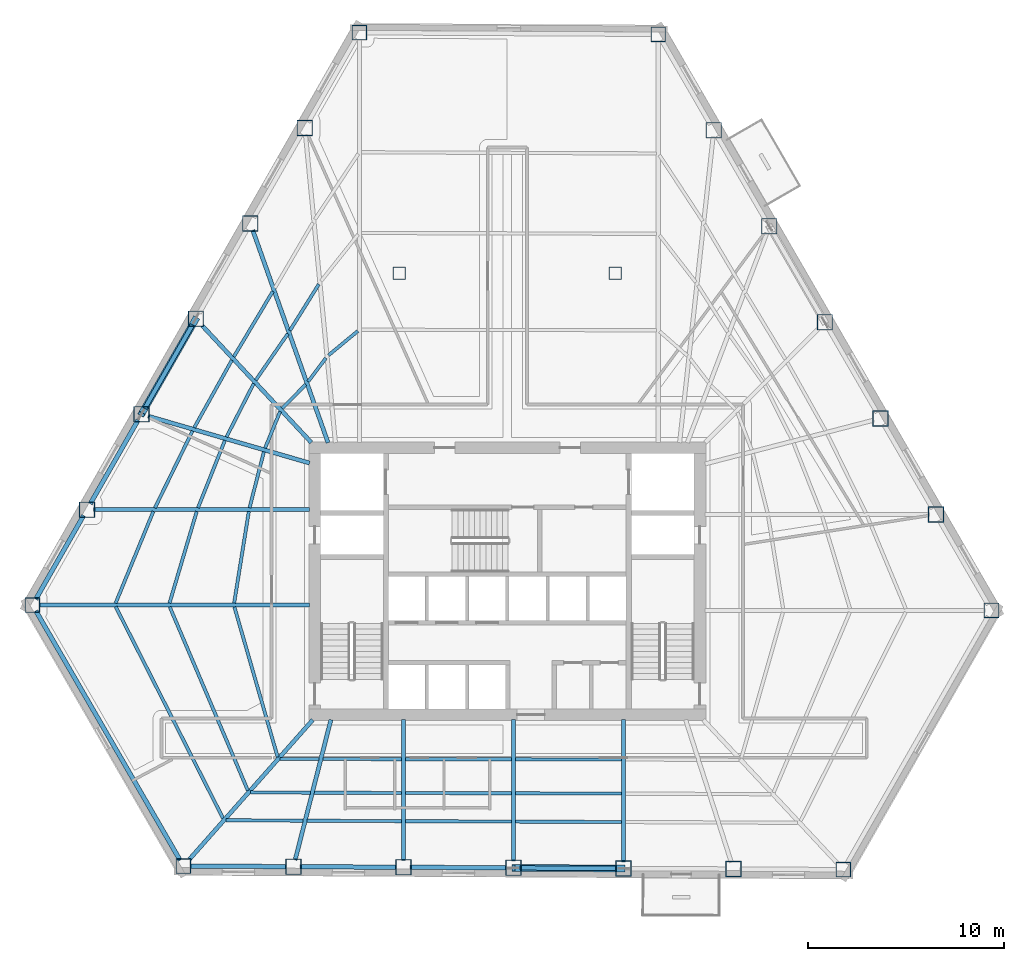
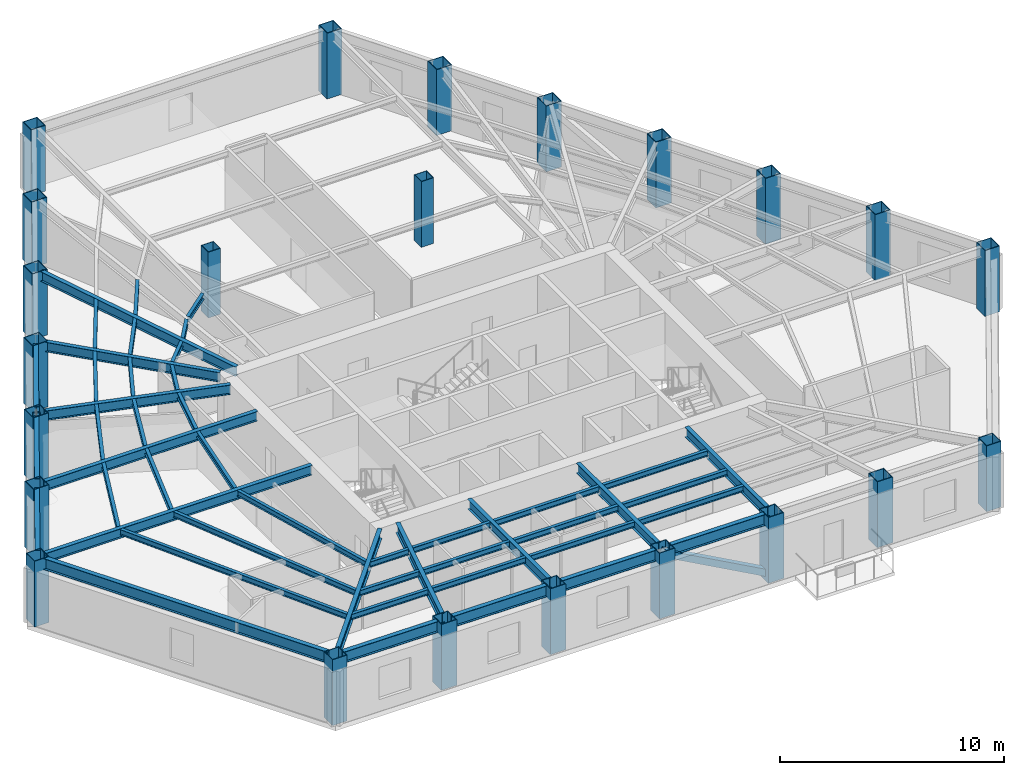
# One storey, part 1 of 12: 48 beams, 23 columns, 2 members.
"""IFC4 building model written with IfcOpenShell, lengths in metres."""

from ifc_helpers import new_model, si_unit, direction, frame, origin, origin_2d, place, context, subcontext, project, spatial, hollow_rectangle, i_section, extrude, material, material_profile, profile_set, type_object, element, save


model = new_model("IFC4")

# Units and contexts
model_context = context("Model", 3, precision=1e-05, world=origin(), true_north=direction((0.0, 1.0)))
body_context = subcontext(model_context, "Body", "Model", "MODEL_VIEW")
ifc_project = project(units=[si_unit("LENGTHUNIT", "METRE"), si_unit("AREAUNIT", "SQUARE_METRE"), si_unit("VOLUMEUNIT", "CUBIC_METRE"), si_unit("PLANEANGLEUNIT", "RADIAN"), si_unit("MASSUNIT", "GRAM", prefix="KILO")], contexts=[model_context])

# Site, building, storey
site_placement = place(None, origin())
site = spatial("IfcSite", under=ifc_project, at=site_placement, CompositionType="ELEMENT")
building_placement = place(site_placement, origin())
building = spatial("IfcBuilding", under=site, at=building_placement, Name="Kavelnor Concourse Tower", CompositionType="ELEMENT")
storey_placement = place(building_placement, frame((0.0, 0.0, 40.64990234375)))
storey = spatial("IfcBuildingStorey", under=building, at=storey_placement, Name="L10", CompositionType="ELEMENT", Elevation=40.64990234375)

# Columns
ifc_material = material(Name="Steel Grade 350", Category="steel")
ifc_material_profile_1 = material_profile(ifc_material, hollow_rectangle(XDim=0.760009765625, YDim=0.760009765625, WallThickness=0.034912109375, at=origin_2d()), Name="SHS 760x760x35")
ifc_profile_set_1 = profile_set([ifc_material_profile_1], Name="Steel Grade 350")
column_type_1 = type_object("IfcColumnType", Name="COL-FOLD-Z1", PredefinedType="COLUMN", material=ifc_profile_set_1)
for number, where, z_axis, x_axis, name in (
    (1, (30.4560546875, 44.0625, 0.0), (0.0, 0.0, 1.0), (1.0, 0.0, 0.0), "L10 Perimeter Corner-Fold Column F0-B0"),
    (2, (13.794921875, 14.887451171875, 0.0), (0.0, 0.0, 1.0), (1.0, 0.0, 0.0), "L10 Perimeter Corner-Fold Column F0-B6"),
    (3, (21.49072265625, 1.58154296875, 0.0), (0.0, 0.0, 1.0), (1.0, 0.0, 0.0), "L10 Perimeter Corner-Fold Column F1-B0"),
    (4, (55.134033203125, 1.39697265625, 0.0), (0.0, 0.0, 1.0), (1.0, 0.0, 0.0), "L10 Perimeter Corner-Fold Column F1-B6"),
    (5, (62.679931640625, 14.6103515625, 0.0), (0.0, 0.0, 1.0), (1.0, 0.0, 0.0), "L10 Perimeter Corner-Fold Column F2-B0"),
    (6, (45.69384765625, 43.978759765625, 0.0), (0.0, 0.0, 1.0), (1.0, 0.0, 0.0), "L10 Perimeter Corner-Fold Column F2-B6"),
):
    element("IfcColumn", number, at=place(storey_placement, frame(where, z_axis=z_axis, x_axis=x_axis)), inside=storey, type_object=column_type_1, Name=name, PredefinedType="COLUMN", context=body_context, shape_type="SweptSolid", body=[
        extrude(hollow_rectangle(XDim=0.760009765625, YDim=0.760009765625, WallThickness=0.034912109375, at=origin_2d()), origin(), (0.0, 0.0, 1.0), 3.590087890625),
    ])
ifc_material_profile_2 = material_profile(ifc_material, hollow_rectangle(XDim=0.800048828125, YDim=0.800048828125, WallThickness=0.035888671875, at=origin_2d()), Name="SHS 800x800x36")
ifc_profile_set_2 = profile_set([ifc_material_profile_2], Name="Steel Grade 350")
column_type_2 = type_object("IfcColumnType", Name="COL-TUBE-Z1", PredefinedType="COLUMN", material=ifc_profile_set_2)
for number, where, z_axis, x_axis, name in (
    (7, (27.67919921875, 39.199951171875, 0.0), (0.0, 0.0, 1.0), (1.0, 0.0, 0.0), "L10 Perimeter Framed-Tube Column F0-B1"),
    (8, (24.90234375, 34.33740234375, 0.0), (0.0, 0.0, 1.0), (1.0, 0.0, 0.0), "L10 Perimeter Framed-Tube Column F0-B2"),
    (9, (22.12548828125, 29.474853515625, 0.0), (0.0, 0.0, 1.0), (1.0, 0.0, 0.0), "L10 Perimeter Framed-Tube Column F0-B3"),
    (10, (19.3486328125, 24.612548828125, 0.0), (0.0, 0.0, 1.0), (1.0, 0.0, 0.0), "L10 Perimeter Framed-Tube Column F0-B4"),
    (11, (16.57177734375, 19.75, 0.0), (0.0, 0.0, 1.0), (1.0, 0.0, 0.0), "L10 Perimeter Framed-Tube Column F0-B5"),
    (12, (27.097900390625, 1.55078125, 0.0), (0.0, 0.0, 1.0), (1.0, 0.0, 0.0), "L10 Perimeter Framed-Tube Column F1-B1"),
    (13, (32.705078125, 1.52001953125, 0.0), (0.0, 0.0, 1.0), (1.0, 0.0, 0.0), "L10 Perimeter Framed-Tube Column F1-B2"),
    (14, (38.3125, 1.4892578125, 0.0), (0.0, 0.0, 1.0), (1.0, 0.0, 0.0), "L10 Perimeter Framed-Tube Column F1-B3"),
    (15, (43.919677734375, 1.45849609375, 0.0), (0.0, 0.0, 1.0), (1.0, 0.0, 0.0), "L10 Perimeter Framed-Tube Column F1-B4"),
    (16, (49.52685546875, 1.427734375, 0.0), (0.0, 0.0, 1.0), (1.0, 0.0, 0.0), "L10 Perimeter Framed-Tube Column F1-B5"),
    (17, (59.84912109375, 19.505126953125, 0.0), (0.0, 0.0, 1.0), (1.0, 0.0, 0.0), "L10 Perimeter Framed-Tube Column F2-B1"),
    (18, (57.01806640625, 24.39990234375, 0.0), (0.0, 0.0, 1.0), (1.0, 0.0, 0.0), "L10 Perimeter Framed-Tube Column F2-B2"),
    (19, (54.18701171875, 29.294677734375, 0.0), (0.0, 0.0, 1.0), (1.0, 0.0, 0.0), "L10 Perimeter Framed-Tube Column F2-B3"),
    (20, (51.35595703125, 34.189208984375, 0.0), (0.0, 0.0, 1.0), (1.0, 0.0, 0.0), "L10 Perimeter Framed-Tube Column F2-B4"),
    (21, (48.52490234375, 39.083984375, 0.0), (0.0, 0.0, 1.0), (1.0, 0.0, 0.0), "L10 Perimeter Framed-Tube Column F2-B5"),
):
    element("IfcColumn", number, at=place(storey_placement, frame(where, z_axis=z_axis, x_axis=x_axis)), inside=storey, type_object=column_type_2, Name=name, PredefinedType="COLUMN", context=body_context, shape_type="SweptSolid", body=[
        extrude(hollow_rectangle(XDim=0.800048828125, YDim=0.800048828125, WallThickness=0.035888671875, at=origin_2d()), origin(), (0.0, 0.0, 1.0), 3.590087890625),
    ])
ifc_material_profile_3 = material_profile(ifc_material, hollow_rectangle(XDim=0.639892578125, YDim=0.639892578125, WallThickness=0.028076171875, at=origin_2d()), Name="SHS 640x640x28")
ifc_profile_set_3 = profile_set([ifc_material_profile_3], Name="Steel Grade 350")
column_type_3 = type_object("IfcColumnType", Name="COL-TUBE-Z3", PredefinedType="COLUMN", material=ifc_profile_set_3)
for number, where, z_axis, x_axis, name in (
    (22, (32.5, 31.800048828125, 0.0), (0.0, 0.0, 1.0), (1.0, 0.0, 0.0), "L10 North Interior Gravity Column BC-NW"),
    (23, (43.5, 31.800048828125, 0.0), (0.0, 0.0, 1.0), (1.0, 0.0, 0.0), "L10 North Interior Gravity Column BC-NE"),
):
    element("IfcColumn", number, at=place(storey_placement, frame(where, z_axis=z_axis, x_axis=x_axis)), inside=storey, type_object=column_type_3, Name=name, PredefinedType="COLUMN", context=body_context, shape_type="SweptSolid", body=[
        extrude(hollow_rectangle(XDim=0.639892578125, YDim=0.639892578125, WallThickness=0.028076171875, at=origin_2d()), origin(), (0.0, 0.0, 1.0), 3.590087890625),
    ])

# Beams
ifc_material_profile_4 = material_profile(ifc_material, i_section(OverallWidth=0.166015625, OverallDepth=0.306884765625, WebThickness=0.006591796875, FlangeThickness=0.01171875, at=origin_2d()), Name="310UB46")
ifc_profile_set_4 = profile_set([ifc_material_profile_4], Name="Steel Grade 350")
beam_type_1 = type_object("IfcBeamType", Name="BM-JOIST-310", PredefinedType="JOIST", material=ifc_profile_set_4)
beam_1_placement = place(storey_placement, frame((24.08740234375, 14.79296875, 3.4365234375), z_axis=(0.276974596125, -0.960877241432, 0.0), x_axis=(0.960877241432, 0.276974596125, 0.0)))
element("IfcBeam", 24, at=beam_1_placement, inside=storey, type_object=beam_type_1, Name="L10 Secondary Composite Joist 01-1", PredefinedType="JOIST", context=body_context, shape_type="SweptSolid", body=[
    extrude(i_section(OverallWidth=0.166015625, OverallDepth=0.306884765625, WebThickness=0.006591796875, FlangeThickness=0.01171875, at=origin_2d()), origin(), (0.0, 0.0, 1.0), 7.967529296875),
])
beam_2_placement = place(storey_placement, frame((20.790283203125, 14.796875, 3.4365234375), z_axis=(0.391509800542, -0.920173937948, 0.0), x_axis=(0.920173937948, 0.391509800542, 0.0)))
element("IfcBeam", 25, at=beam_2_placement, inside=storey, type_object=beam_type_1, Name="L10 Secondary Composite Joist 01-2", PredefinedType="JOIST", context=body_context, shape_type="SweptSolid", body=[
    extrude(i_section(OverallWidth=0.166015625, OverallDepth=0.306884765625, WebThickness=0.006591796875, FlangeThickness=0.01171875, at=origin_2d()), origin(), (0.0, 0.0, 1.0), 10.18017578125),
])
beam_3_placement = place(storey_placement, frame((18.039306640625, 14.7998046875, 3.4365234375), z_axis=(0.452378695405, -0.89182594487, 0.0), x_axis=(0.89182594487, 0.452378695405, 0.0)))
element("IfcBeam", 26, at=beam_3_placement, inside=storey, type_object=beam_type_1, Name="L10 Secondary Composite Joist 01-3", PredefinedType="JOIST", context=body_context, shape_type="SweptSolid", body=[
    extrude(i_section(OverallWidth=0.166015625, OverallDepth=0.306884765625, WebThickness=0.006591796875, FlangeThickness=0.01171875, at=origin_2d()), origin(), (0.0, 0.0, 1.0), 12.101806640625),
])
beam_4_placement = place(storey_placement, frame((26.419921875, 7.042236328125, 3.4365234375), z_axis=(0.999997533919, -0.00222084585, 0.0), x_axis=(0.00222084585, 0.999997533919, 0.0)))
element("IfcBeam", 27, at=beam_4_placement, inside=storey, type_object=beam_type_1, Name="L10 Secondary Composite Joist 02-1", PredefinedType="JOIST", context=body_context, shape_type="SweptSolid", body=[
    extrude(i_section(OverallWidth=0.166015625, OverallDepth=0.306884765625, WebThickness=0.006591796875, FlangeThickness=0.01171875, at=origin_2d()), origin(), (0.0, 0.0, 1.0), 1.978759765625),
])
beam_5_placement = place(storey_placement, frame((24.912841796875, 5.33837890625, 3.4365234375), z_axis=(0.999987270945, -0.005045586903, 0.0), x_axis=(0.005045586903, 0.999987270945, 0.0)))
element("IfcBeam", 28, at=beam_5_placement, inside=storey, type_object=beam_type_1, Name="L10 Secondary Composite Joist 02-2", PredefinedType="JOIST", context=body_context, shape_type="SweptSolid", body=[
    extrude(i_section(OverallWidth=0.166015625, OverallDepth=0.306884765625, WebThickness=0.006591796875, FlangeThickness=0.01171875, at=origin_2d()), origin(), (0.0, 0.0, 1.0), 3.04833984375),
])
beam_6_placement = place(storey_placement, frame((23.656982421875, 3.91845703125, 3.4365234375), z_axis=(0.99998041361, -0.00625878551, 0.0), x_axis=(0.00625878551, 0.99998041361, 0.0)))
element("IfcBeam", 29, at=beam_6_placement, inside=storey, type_object=beam_type_1, Name="L10 Secondary Composite Joist 02-3", PredefinedType="JOIST", context=body_context, shape_type="SweptSolid", body=[
    extrude(i_section(OverallWidth=0.166015625, OverallDepth=0.306884765625, WebThickness=0.006591796875, FlangeThickness=0.01171875, at=origin_2d()), origin(), (0.0, 0.0, 1.0), 3.939697265625),
])
beam_7_placement = place(storey_placement, frame((28.595703125, 7.03759765625, 3.4365234375), z_axis=(0.999998103091, -0.001947771581, 0.0), x_axis=(0.001947771581, 0.999998103091, 0.0)))
element("IfcBeam", 30, at=beam_7_placement, inside=storey, type_object=beam_type_1, Name="L10 Secondary Composite Joist 03-1", PredefinedType="JOIST", context=body_context, shape_type="SweptSolid", body=[
    extrude(i_section(OverallWidth=0.166015625, OverallDepth=0.306884765625, WebThickness=0.006591796875, FlangeThickness=0.01171875, at=origin_2d()), origin(), (0.0, 0.0, 1.0), 4.010986328125),
])
beam_8_placement = place(storey_placement, frame((28.158203125, 5.322021484375, 3.4365234375), z_axis=(0.999994210978, -0.003402647554, 0.0), x_axis=(0.003402647554, 0.999994210978, 0.0)))
element("IfcBeam", 31, at=beam_8_placement, inside=storey, type_object=beam_type_1, Name="L10 Secondary Composite Joist 03-2", PredefinedType="JOIST", context=body_context, shape_type="SweptSolid", body=[
    extrude(i_section(OverallWidth=0.166015625, OverallDepth=0.306884765625, WebThickness=0.006591796875, FlangeThickness=0.01171875, at=origin_2d()), origin(), (0.0, 0.0, 1.0), 4.448486328125),
])
beam_9_placement = place(storey_placement, frame((27.793701171875, 3.892578125, 3.4365234375), z_axis=(0.999989809538, -0.004514512177, 0.0), x_axis=(0.004514512177, 0.999989809538, 0.0)))
element("IfcBeam", 32, at=beam_9_placement, inside=storey, type_object=beam_type_1, Name="L10 Secondary Composite Joist 03-3", PredefinedType="JOIST", context=body_context, shape_type="SweptSolid", body=[
    extrude(i_section(OverallWidth=0.166015625, OverallDepth=0.306884765625, WebThickness=0.006591796875, FlangeThickness=0.01171875, at=origin_2d()), origin(), (0.0, 0.0, 1.0), 4.81298828125),
])
for number, where, z_axis, x_axis, name in (
    (33, (32.8037109375, 7.029541015625, 3.4365234375), (0.99999882297, -0.001534294223, 0.0), (0.001534294223, 0.99999882297, 0.0), "L10 Secondary Composite Joist 04-1"),
    (34, (32.8037109375, 5.30615234375, 3.4365234375), (0.999995958813, -0.0028429488, 0.0), (0.0028429488, 0.999995958813, 0.0), "L10 Secondary Composite Joist 04-2"),
    (35, (32.8037109375, 3.8701171875, 3.4365234375), (0.9999921152, -0.003971087822, 0.0), (0.003971087822, 0.9999921152, 0.0), "L10 Secondary Composite Joist 04-3"),
):
    element("IfcBeam", number, at=place(storey_placement, frame(where, z_axis=z_axis, x_axis=x_axis)), inside=storey, type_object=beam_type_1, Name=name, PredefinedType="JOIST", context=body_context, shape_type="SweptSolid", body=[
        extrude(i_section(OverallWidth=0.166015625, OverallDepth=0.306884765625, WebThickness=0.006591796875, FlangeThickness=0.01171875, at=origin_2d()), origin(), (0.0, 0.0, 1.0), 5.41015625),
    ])
for number, where, z_axis, x_axis, name in (
    (36, (38.410888671875, 7.02099609375, 3.4365234375), (0.999998752827, -0.001579349143, 0.0), (0.001579349143, 0.999998752827, 0.0), "L10 Secondary Composite Joist 05-1"),
    (37, (38.410888671875, 5.290283203125, 3.4365234375), (0.99999582988, -0.002887944277, 0.0), (0.002887944277, 0.99999582988, 0.0), "L10 Secondary Composite Joist 05-2"),
    (38, (38.410888671875, 3.847900390625, 3.4365234375), (0.999992115911, -0.003970908632, 0.0), (0.003970908632, 0.999992115911, 0.0), "L10 Secondary Composite Joist 05-3"),
):
    element("IfcBeam", number, at=place(storey_placement, frame(where, z_axis=z_axis, x_axis=x_axis)), inside=storey, type_object=beam_type_1, Name=name, PredefinedType="JOIST", context=body_context, shape_type="SweptSolid", body=[
        extrude(i_section(OverallWidth=0.166015625, OverallDepth=0.306884765625, WebThickness=0.006591796875, FlangeThickness=0.01171875, at=origin_2d()), origin(), (0.0, 0.0, 1.0), 5.410400390625),
    ])
beam_10_placement = place(storey_placement, frame((30.380126953125, 28.854736328125, 3.4365234375), z_axis=(-0.770415652518, -0.637541937722, 0.0), x_axis=(0.637541937722, -0.770415652518, 0.0)))
element("IfcBeam", 39, at=beam_10_placement, inside=storey, type_object=beam_type_1, Name="L10 Secondary Composite Joist 16-1", PredefinedType="JOIST", context=body_context, shape_type="SweptSolid", body=[
    extrude(i_section(OverallWidth=0.166015625, OverallDepth=0.306884765625, WebThickness=0.006591796875, FlangeThickness=0.01171875, at=origin_2d()), origin(), (0.0, 0.0, 1.0), 1.9384765625),
])
beam_11_placement = place(storey_placement, frame((28.751708984375, 27.477294921875, 3.4365234375), z_axis=(-0.601244569275, -0.799065058626, 0.0), x_axis=(0.799065058626, -0.601244569275, 0.0)))
element("IfcBeam", 40, at=beam_11_placement, inside=storey, type_object=beam_type_1, Name="L10 Secondary Composite Joist 17-1", PredefinedType="JOIST", context=body_context, shape_type="SweptSolid", body=[
    extrude(i_section(OverallWidth=0.166015625, OverallDepth=0.306884765625, WebThickness=0.006591796875, FlangeThickness=0.01171875, at=origin_2d()), origin(), (0.0, 0.0, 1.0), 1.505615234375),
])
beam_12_placement = place(storey_placement, frame((28.392578125, 31.240478515625, 3.4365234375), z_axis=(-0.529581099866, -0.84825931098, 0.0), x_axis=(0.84825931098, -0.529581099866, 0.0)))
element("IfcBeam", 41, at=beam_12_placement, inside=storey, type_object=beam_type_1, Name="L10 Secondary Composite Joist 17-2", PredefinedType="JOIST", context=body_context, shape_type="SweptSolid", body=[
    extrude(i_section(OverallWidth=0.166015625, OverallDepth=0.306884765625, WebThickness=0.006591796875, FlangeThickness=0.01171875, at=origin_2d()), origin(), (0.0, 0.0, 1.0), 2.783935546875),
])
beam_13_placement = place(storey_placement, frame((27.718017578125, 26.125244140625, 3.4365234375), z_axis=(-0.701001774325, -0.713159528011, 0.0), x_axis=(0.713159528011, -0.701001774325, 0.0)))
element("IfcBeam", 42, at=beam_13_placement, inside=storey, type_object=beam_type_1, Name="L10 Secondary Composite Joist 18-1", PredefinedType="JOIST", context=body_context, shape_type="SweptSolid", body=[
    extrude(i_section(OverallWidth=0.166015625, OverallDepth=0.306884765625, WebThickness=0.006591796875, FlangeThickness=0.01171875, at=origin_2d()), origin(), (0.0, 0.0, 1.0), 1.706787109375),
])
beam_14_placement = place(storey_placement, frame((26.81005859375, 28.71435546875, 3.4365234375), z_axis=(-0.568393221717, -0.822757039171, 0.0), x_axis=(0.822757039171, -0.568393221717, 0.0)))
element("IfcBeam", 43, at=beam_14_placement, inside=storey, type_object=beam_type_1, Name="L10 Secondary Composite Joist 18-2", PredefinedType="JOIST", context=body_context, shape_type="SweptSolid", body=[
    extrude(i_section(OverallWidth=0.166015625, OverallDepth=0.306884765625, WebThickness=0.006591796875, FlangeThickness=0.01171875, at=origin_2d()), origin(), (0.0, 0.0, 1.0), 2.87646484375),
])
beam_15_placement = place(storey_placement, frame((26.0478515625, 30.877197265625, 3.4365234375), z_axis=(-0.512219731163, -0.858854438777, 0.0), x_axis=(0.858854438777, -0.512219731163, 0.0)))
element("IfcBeam", 44, at=beam_15_placement, inside=storey, type_object=beam_type_1, Name="L10 Secondary Composite Joist 18-3", PredefinedType="JOIST", context=body_context, shape_type="SweptSolid", body=[
    extrude(i_section(OverallWidth=0.166015625, OverallDepth=0.306884765625, WebThickness=0.006591796875, FlangeThickness=0.01171875, at=origin_2d()), origin(), (0.0, 0.0, 1.0), 3.883544921875),
])
beam_16_placement = place(storey_placement, frame((26.4150390625, 24.74658203125, 3.4365234375), z_axis=(-0.379242148383, -0.925297461841, 0.0), x_axis=(0.925297461841, -0.379242148383, 0.0)))
element("IfcBeam", 45, at=beam_16_placement, inside=storey, type_object=beam_type_1, Name="L10 Secondary Composite Joist 19-1", PredefinedType="JOIST", context=body_context, shape_type="SweptSolid", body=[
    extrude(i_section(OverallWidth=0.166015625, OverallDepth=0.306884765625, WebThickness=0.006591796875, FlangeThickness=0.01171875, at=origin_2d()), origin(), (0.0, 0.0, 1.0), 2.012451171875),
])
beam_17_placement = place(storey_placement, frame((25.074462890625, 26.1787109375, 3.4365234375), z_axis=(-0.454447074458, -0.890773740361, 0.0), x_axis=(0.890773740361, -0.454447074458, 0.0)))
element("IfcBeam", 46, at=beam_17_placement, inside=storey, type_object=beam_type_1, Name="L10 Secondary Composite Joist 19-2", PredefinedType="JOIST", context=body_context, shape_type="SweptSolid", body=[
    extrude(i_section(OverallWidth=0.166015625, OverallDepth=0.306884765625, WebThickness=0.006591796875, FlangeThickness=0.01171875, at=origin_2d()), origin(), (0.0, 0.0, 1.0), 3.058349609375),
])
beam_18_placement = place(storey_placement, frame((23.960205078125, 27.37109375, 3.4365234375), z_axis=(-0.486947399354, -0.873431296818, 0.0), x_axis=(0.873431296818, -0.486947399354, 0.0)))
element("IfcBeam", 47, at=beam_18_placement, inside=storey, type_object=beam_type_1, Name="L10 Secondary Composite Joist 19-3", PredefinedType="JOIST", context=body_context, shape_type="SweptSolid", body=[
    extrude(i_section(OverallWidth=0.166015625, OverallDepth=0.306884765625, WebThickness=0.006591796875, FlangeThickness=0.01171875, at=origin_2d()), origin(), (0.0, 0.0, 1.0), 3.939208984375),
])
beam_19_placement = place(storey_placement, frame((25.590087890625, 22.697998046875, 3.4365234375), z_axis=(-0.247293795257, -0.968940544527, 0.0), x_axis=(0.968940544527, -0.247293795257, 0.0)))
element("IfcBeam", 48, at=beam_19_placement, inside=storey, type_object=beam_type_1, Name="L10 Secondary Composite Joist 20-1", PredefinedType="JOIST", context=body_context, shape_type="SweptSolid", body=[
    extrude(i_section(OverallWidth=0.166015625, OverallDepth=0.306884765625, WebThickness=0.006591796875, FlangeThickness=0.01171875, at=origin_2d()), origin(), (0.0, 0.0, 1.0), 2.944091796875),
])
beam_20_placement = place(storey_placement, frame((23.603271484375, 23.275146484375, 3.4365234375), z_axis=(-0.370787173589, -0.928717864533, 0.0), x_axis=(0.928717864533, -0.370787173589, 0.0)))
element("IfcBeam", 49, at=beam_20_placement, inside=storey, type_object=beam_type_1, Name="L10 Secondary Composite Joist 20-2", PredefinedType="JOIST", context=body_context, shape_type="SweptSolid", body=[
    extrude(i_section(OverallWidth=0.166015625, OverallDepth=0.306884765625, WebThickness=0.006591796875, FlangeThickness=0.01171875, at=origin_2d()), origin(), (0.0, 0.0, 1.0), 3.697021484375),
])
beam_21_placement = place(storey_placement, frame((21.950927734375, 23.755859375, 3.4365234375), z_axis=(-0.438906797592, -0.898532594305, 0.0), x_axis=(0.898532594305, -0.438906797592, 0.0)))
element("IfcBeam", 50, at=beam_21_placement, inside=storey, type_object=beam_type_1, Name="L10 Secondary Composite Joist 20-3", PredefinedType="JOIST", context=body_context, shape_type="SweptSolid", body=[
    extrude(i_section(OverallWidth=0.166015625, OverallDepth=0.306884765625, WebThickness=0.006591796875, FlangeThickness=0.01171875, at=origin_2d()), origin(), (0.0, 0.0, 1.0), 4.35986328125),
])
beam_22_placement = place(storey_placement, frame((24.822265625, 19.652587890625, 3.4365234375), z_axis=(-0.1579381282, -0.987449010157, 0.0), x_axis=(0.987449010157, -0.1579381282, 0.0)))
element("IfcBeam", 51, at=beam_22_placement, inside=storey, type_object=beam_type_1, Name="L10 Secondary Composite Joist 21-1", PredefinedType="JOIST", context=body_context, shape_type="SweptSolid", body=[
    extrude(i_section(OverallWidth=0.166015625, OverallDepth=0.306884765625, WebThickness=0.006591796875, FlangeThickness=0.01171875, at=origin_2d()), origin(), (0.0, 0.0, 1.0), 4.72705078125),
])
beam_23_placement = place(storey_placement, frame((22.167724609375, 19.655517578125, 3.4365234375), z_axis=(-0.284686733422, -0.95862060473, 0.0), x_axis=(0.95862060473, -0.284686733422, 0.0)))
element("IfcBeam", 52, at=beam_23_placement, inside=storey, type_object=beam_type_1, Name="L10 Secondary Composite Joist 21-2", PredefinedType="JOIST", context=body_context, shape_type="SweptSolid", body=[
    extrude(i_section(OverallWidth=0.166015625, OverallDepth=0.306884765625, WebThickness=0.006591796875, FlangeThickness=0.01171875, at=origin_2d()), origin(), (0.0, 0.0, 1.0), 4.875244140625),
])
beam_24_placement = place(storey_placement, frame((19.95654296875, 19.658935546875, 3.4365234375), z_axis=(-0.380257179765, -0.924880790825, 0.0), x_axis=(0.924880790825, -0.380257179765, 0.0)))
element("IfcBeam", 53, at=beam_24_placement, inside=storey, type_object=beam_type_1, Name="L10 Secondary Composite Joist 21-3", PredefinedType="JOIST", context=body_context, shape_type="SweptSolid", body=[
    extrude(i_section(OverallWidth=0.166015625, OverallDepth=0.306884765625, WebThickness=0.006591796875, FlangeThickness=0.01171875, at=origin_2d()), origin(), (0.0, 0.0, 1.0), 5.060546875),
])
ifc_material_profile_5 = material_profile(ifc_material, i_section(OverallWidth=0.208984375, OverallDepth=0.528076171875, WebThickness=0.009521484375, FlangeThickness=0.01318359375, at=origin_2d()), Name="530UB82")
ifc_profile_set_5 = profile_set([ifc_material_profile_5], Name="Steel Grade 350")
beam_type_2 = type_object("IfcBeamType", Name="BM-PRIMARY-530", PredefinedType="BEAM", material=ifc_profile_set_5)
beam_25_placement = place(storey_placement, frame((28.86181640625, 23.162353515625, 3.326171875), z_axis=(-0.333965505528, 0.942585296468, 0.0), x_axis=(-0.942585296468, -0.333965505528, 0.0)))
element("IfcBeam", 54, at=beam_25_placement, inside=storey, type_object=beam_type_2, Name="L10 Primary Floor Girder F0-B2", PredefinedType="BEAM", context=body_context, shape_type="SweptSolid", body=[
    extrude(i_section(OverallWidth=0.208984375, OverallDepth=0.528076171875, WebThickness=0.009521484375, FlangeThickness=0.01318359375, at=origin_2d()), origin(), (0.0, 0.0, 1.0), 11.49267578125),
])
beam_26_placement = place(storey_placement, frame((28.0078125, 23.1708984375, 3.326171875), z_axis=(-0.682231711453, 0.731136028307, 0.0), x_axis=(-0.731136028307, -0.682231711453, 0.0)))
element("IfcBeam", 55, at=beam_26_placement, inside=storey, type_object=beam_type_2, Name="L10 Primary Floor Girder F0-B3", PredefinedType="BEAM", context=body_context, shape_type="SweptSolid", body=[
    extrude(i_section(OverallWidth=0.208984375, OverallDepth=0.528076171875, WebThickness=0.009521484375, FlangeThickness=0.01318359375, at=origin_2d()), origin(), (0.0, 0.0, 1.0), 8.142333984375),
])
beam_27_placement = place(storey_placement, frame((27.91845703125, 22.12451171875, 3.326171875), z_axis=(-0.960351887182, 0.278790697095, 0.0), x_axis=(-0.278790697095, -0.960351887182, 0.0)))
element("IfcBeam", 56, at=beam_27_placement, inside=storey, type_object=beam_type_2, Name="L10 Primary Floor Girder F0-B4", PredefinedType="BEAM", context=body_context, shape_type="SweptSolid", body=[
    extrude(i_section(OverallWidth=0.208984375, OverallDepth=0.528076171875, WebThickness=0.009521484375, FlangeThickness=0.01318359375, at=origin_2d()), origin(), (0.0, 0.0, 1.0), 8.56787109375),
])
beam_28_placement = place(storey_placement, frame((27.919921875, 19.75, 3.326171875), z_axis=(-1.0, 0.0, 0.0), x_axis=(0.0, -1.0, 0.0)))
element("IfcBeam", 57, at=beam_28_placement, inside=storey, type_object=beam_type_2, Name="L10 Primary Floor Girder F0-B5", PredefinedType="BEAM", context=body_context, shape_type="SweptSolid", body=[
    extrude(i_section(OverallWidth=0.208984375, OverallDepth=0.528076171875, WebThickness=0.009521484375, FlangeThickness=0.01318359375, at=origin_2d()), origin(), (0.0, 0.0, 1.0), 11.008056640625),
])
beam_29_placement = place(storey_placement, frame((27.919921875, 14.887451171875, 3.326171875), z_axis=(-1.0, 0.0, 0.0), x_axis=(0.0, -1.0, 0.0)))
element("IfcBeam", 58, at=beam_29_placement, inside=storey, type_object=beam_type_2, Name="L10 Primary Floor Girder F0-B6", PredefinedType="BEAM", context=body_context, shape_type="SweptSolid", body=[
    extrude(i_section(OverallWidth=0.208984375, OverallDepth=0.528076171875, WebThickness=0.009521484375, FlangeThickness=0.01318359375, at=origin_2d()), origin(), (0.0, 0.0, 1.0), 13.784912109375),
])
beam_30_placement = place(storey_placement, frame((28.07958984375, 9.030029296875, 3.326171875), z_axis=(-0.662571103011, -0.748999020997, 0.0), x_axis=(0.748999020997, -0.662571103011, 0.0)))
element("IfcBeam", 59, at=beam_30_placement, inside=storey, type_object=beam_type_2, Name="L10 Primary Floor Girder F1-B0", PredefinedType="BEAM", context=body_context, shape_type="SweptSolid", body=[
    extrude(i_section(OverallWidth=0.208984375, OverallDepth=0.528076171875, WebThickness=0.009521484375, FlangeThickness=0.01318359375, at=origin_2d()), origin(), (0.0, 0.0, 1.0), 9.47705078125),
])
beam_31_placement = place(storey_placement, frame((29.00732421875, 9.038818359375, 3.326171875), z_axis=(-0.247073792378, -0.968996667239, 0.0), x_axis=(0.968996667239, -0.247073792378, 0.0)))
element("IfcBeam", 60, at=beam_31_placement, inside=storey, type_object=beam_type_2, Name="L10 Primary Floor Girder F1-B1", PredefinedType="BEAM", context=body_context, shape_type="SweptSolid", body=[
    extrude(i_section(OverallWidth=0.208984375, OverallDepth=0.528076171875, WebThickness=0.009521484375, FlangeThickness=0.01318359375, at=origin_2d()), origin(), (0.0, 0.0, 1.0), 7.37548828125),
])
beam_32_placement = place(storey_placement, frame((32.705078125, 9.0400390625, 3.326171875), z_axis=(0.0, -1.0, 0.0), x_axis=(1.0, 0.0, 0.0)))
element("IfcBeam", 61, at=beam_32_placement, inside=storey, type_object=beam_type_2, Name="L10 Primary Floor Girder F1-B2", PredefinedType="BEAM", context=body_context, shape_type="SweptSolid", body=[
    extrude(i_section(OverallWidth=0.208984375, OverallDepth=0.528076171875, WebThickness=0.009521484375, FlangeThickness=0.01318359375, at=origin_2d()), origin(), (0.0, 0.0, 1.0), 7.179931640625),
])
beam_33_placement = place(storey_placement, frame((38.3125, 9.0400390625, 3.326171875), z_axis=(0.0, -1.0, 0.0), x_axis=(1.0, 0.0, 0.0)))
element("IfcBeam", 62, at=beam_33_placement, inside=storey, type_object=beam_type_2, Name="L10 Primary Floor Girder F1-B3", PredefinedType="BEAM", context=body_context, shape_type="SweptSolid", body=[
    extrude(i_section(OverallWidth=0.208984375, OverallDepth=0.528076171875, WebThickness=0.009521484375, FlangeThickness=0.01318359375, at=origin_2d()), origin(), (0.0, 0.0, 1.0), 7.210693359375),
])
beam_34_placement = place(storey_placement, frame((43.919677734375, 9.0400390625, 3.326171875), z_axis=(0.0, -1.0, 0.0), x_axis=(1.0, 0.0, 0.0)))
element("IfcBeam", 63, at=beam_34_placement, inside=storey, type_object=beam_type_2, Name="L10 Primary Floor Girder F1-B4", PredefinedType="BEAM", context=body_context, shape_type="SweptSolid", body=[
    extrude(i_section(OverallWidth=0.208984375, OverallDepth=0.528076171875, WebThickness=0.009521484375, FlangeThickness=0.01318359375, at=origin_2d()), origin(), (0.0, 0.0, 1.0), 7.241455078125),
])
ifc_material_profile_6 = material_profile(ifc_material, i_section(OverallWidth=0.22900390625, OverallDepth=0.612060546875, WebThickness=0.011962890625, FlangeThickness=0.01953125, at=origin_2d()), Name="610UB125")
ifc_profile_set_6 = profile_set([ifc_material_profile_6], Name="Steel Grade 350")
beam_type_3 = type_object("IfcBeamType", Name="BM-SPANDREL-Z1", PredefinedType="SPANDREL", material=ifc_profile_set_6)
beam_35_placement = place(storey_placement, frame((21.954345703125, 29.17529296875, 3.2841796875), z_axis=(-0.495903278427, -0.868377762524, 0.0), x_axis=(0.868377762524, -0.495903278427, 0.0)))
element("IfcBeam", 64, at=beam_35_placement, inside=storey, type_object=beam_type_3, Name="L10 Perimeter Tube Spandrel Beam F0-B3", PredefinedType="SPANDREL", context=body_context, shape_type="SweptSolid", body=[
    extrude(i_section(OverallWidth=0.22900390625, OverallDepth=0.612060546875, WebThickness=0.011962890625, FlangeThickness=0.01953125, at=origin_2d()), origin(), (0.0, 0.0, 1.0), 4.909423828125),
])
for number, where, z_axis, x_axis, name in (
    (65, (19.177490234375, 24.31298828125, 3.2841796875), (-0.495881864087, -0.868389991231, 0.0), (0.868389991231, -0.495881864087, 0.0), "L10 Perimeter Tube Spandrel Beam F0-B4"),
    (66, (16.400634765625, 19.450439453125, 3.2841796875), (-0.495881864087, -0.868389991231, 0.0), (0.868389991231, -0.495881864087, 0.0), "L10 Perimeter Tube Spandrel Beam F0-B5"),
):
    element("IfcBeam", number, at=place(storey_placement, frame(where, z_axis=z_axis, x_axis=x_axis)), inside=storey, type_object=beam_type_3, Name=name, PredefinedType="SPANDREL", context=body_context, shape_type="SweptSolid", body=[
        extrude(i_section(OverallWidth=0.22900390625, OverallDepth=0.612060546875, WebThickness=0.011962890625, FlangeThickness=0.01953125, at=origin_2d()), origin(), (0.0, 0.0, 1.0), 4.90966796875),
    ])
beam_36_placement = place(storey_placement, frame((21.835693359375, 1.57958984375, 3.2841796875), z_axis=(0.999985086362, -0.005461414999, 0.0), x_axis=(0.005461414999, 0.999985086362, 0.0)))
element("IfcBeam", 67, at=beam_36_placement, inside=storey, type_object=beam_type_3, Name="L10 Perimeter Tube Spandrel Beam F1-B0", PredefinedType="SPANDREL", context=body_context, shape_type="SweptSolid", body=[
    extrude(i_section(OverallWidth=0.22900390625, OverallDepth=0.612060546875, WebThickness=0.011962890625, FlangeThickness=0.01953125, at=origin_2d()), origin(), (0.0, 0.0, 1.0), 4.917236328125),
])
for number, where, z_axis, x_axis, name in (
    (68, (27.443115234375, 1.548828125, 3.2841796875), (0.999985084881, -0.005461686164, 0.0), (0.005461686164, 0.999985084881, 0.0), "L10 Perimeter Tube Spandrel Beam F1-B1"),
    (69, (33.05029296875, 1.518310546875, 3.2841796875), (0.99998481247, -0.005511336355, 0.0), (0.005511336355, 0.99998481247, 0.0), "L10 Perimeter Tube Spandrel Beam F1-B2"),
):
    element("IfcBeam", number, at=place(storey_placement, frame(where, z_axis=z_axis, x_axis=x_axis)), inside=storey, type_object=beam_type_3, Name=name, PredefinedType="SPANDREL", context=body_context, shape_type="SweptSolid", body=[
        extrude(i_section(OverallWidth=0.22900390625, OverallDepth=0.612060546875, WebThickness=0.011962890625, FlangeThickness=0.01953125, at=origin_2d()), origin(), (0.0, 0.0, 1.0), 4.9169921875),
    ])
beam_37_placement = place(storey_placement, frame((38.657470703125, 1.4873046875, 3.2841796875), z_axis=(0.999985086362, -0.005461414999, 0.0), x_axis=(0.005461414999, 0.999985086362, 0.0)))
element("IfcBeam", 70, at=beam_37_placement, inside=storey, type_object=beam_type_3, Name="L10 Perimeter Tube Spandrel Beam F1-B3", PredefinedType="SPANDREL", context=body_context, shape_type="SweptSolid", body=[
    extrude(i_section(OverallWidth=0.22900390625, OverallDepth=0.612060546875, WebThickness=0.011962890625, FlangeThickness=0.01953125, at=origin_2d()), origin(), (0.0, 0.0, 1.0), 4.917236328125),
])
beam_38_placement = place(storey_placement, frame((13.967529296875, 14.5888671875, 3.2841796875), z_axis=(0.500673729443, -0.865636076331, 0.0), x_axis=(0.865636076331, 0.500673729443, 0.0)))
element("IfcBeam", 71, at=beam_38_placement, inside=storey, type_object=beam_type_3, Name="L10 Chamfer Facet Spandrel Beam C1", PredefinedType="SPANDREL", context=body_context, shape_type="SweptSolid", body=[
    extrude(i_section(OverallWidth=0.22900390625, OverallDepth=0.612060546875, WebThickness=0.011962890625, FlangeThickness=0.01953125, at=origin_2d()), origin(), (0.0, 0.0, 1.0), 14.681396484375),
])

# Members
ifc_material_profile_7 = material_profile(ifc_material, hollow_rectangle(XDim=0.35009765625, YDim=0.35009765625, WallThickness=0.02001953125, at=origin_2d()), Name="SHS 350x350x20")
ifc_profile_set_7 = profile_set([ifc_material_profile_7], Name="Steel Grade 350")
member_type = type_object("IfcMemberType", Name="MBR-TUBE-DIAG-Z1", PredefinedType="BRACE", material=ifc_profile_set_7)
member_1_placement = place(storey_placement, frame((22.12548828125, 29.474853515625, 0.22021484375), z_axis=(-0.435049252116, -0.761776059887, 0.480030606125), x_axis=(0.86836654091, -0.495922928113, 0.0)))
element("IfcMember", 72, at=member_1_placement, inside=storey, type_object=member_type, Name="L10 Framed-Tube Bracing Diagonal F0-B3", PredefinedType="BRACE", context=body_context, shape_type="SweptSolid", body=[
    extrude(hollow_rectangle(XDim=0.35009765625, YDim=0.35009765625, WallThickness=0.02001953125, at=origin_2d()), origin(), (0.0, 0.0, 1.0), 6.3828125),
])
member_2_placement = place(storey_placement, frame((43.919677734375, 1.45849609375, 0.22021484375), z_axis=(-0.877523024326, 0.004814207387, 0.479510338977), x_axis=(-0.005486049719, -0.999984951516, 0.0)))
element("IfcMember", 73, at=member_2_placement, inside=storey, type_object=member_type, Name="L10 Framed-Tube Bracing Diagonal F1-B3", PredefinedType="BRACE", context=body_context, shape_type="SweptSolid", body=[
    extrude(hollow_rectangle(XDim=0.35009765625, YDim=0.35009765625, WallThickness=0.02001953125, at=origin_2d()), origin(), (0.0, 0.0, 1.0), 6.389892578125),
])

save(model, "model.ifc")
